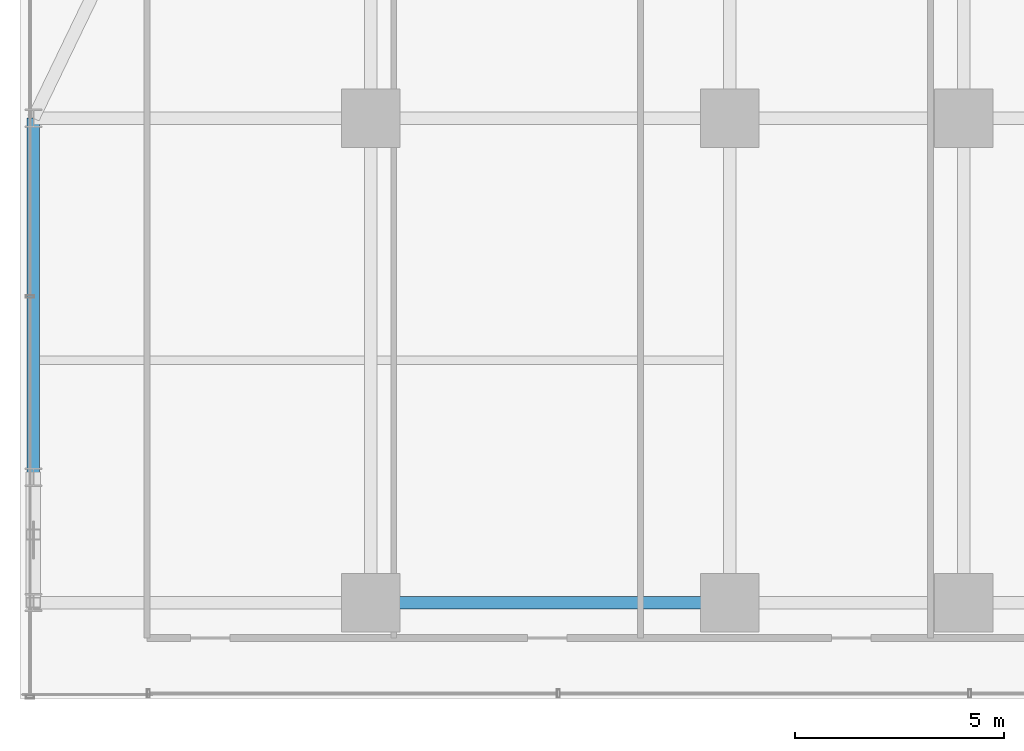
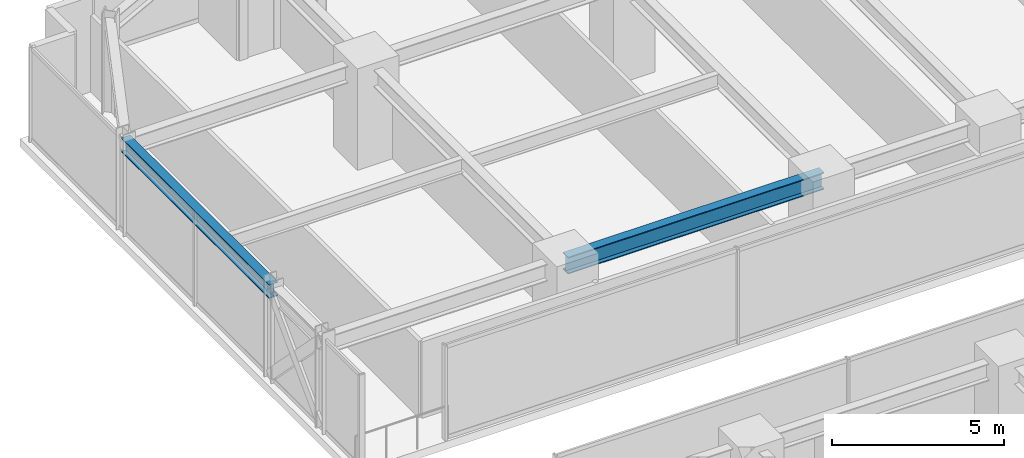
# One storey, part 20 of 43: 2 beams.
"""IFC4 building model written with IfcOpenShell, lengths in metres."""

import ifcopenshell
import ifcopenshell.guid

model = None  # the IFC model being written
_history = None  # IfcOwnerHistory: only IFC2X3 demands one
_inside = {}  # id of a spatial element -> (the spatial element, [elements in it])
_under = {}  # id of a project, library or spatial element -> (it, [spatial elements below it])
_declared = {}  # id of a project -> (the project, [libraries it declares])
_typed = {}  # id of a type object -> (the type object, [elements of that type])
_made_of = {}  # id of a material, layer set ... -> (it, [elements and type objects made of it])


def new_model(schema):
    """Start an empty IFC model of exactly this schema.

    Asked for "IFC4X3", IfcOpenShell would pick the latest addendum, in which some entities
    have other attributes; the version numbers below select the first issue.
    IFC2X3 requires an IfcOwnerHistory on every rooted entity: one is made here for all.
    """
    global model, _history
    if schema == "IFC4X3":
        model = ifcopenshell.file(schema_version=(4, 3, 0, 0))
    else:
        model = ifcopenshell.file(schema=schema)
    _inside.clear()
    _under.clear()
    _declared.clear()
    _typed.clear()
    _made_of.clear()
    _history = None
    if model.schema == "IFC2X3":
        org = make("IfcOrganization", Name="unknown")
        user = make(
            "IfcPersonAndOrganization",
            ThePerson=make("IfcPerson", FamilyName="unknown"),
            TheOrganization=org,
        )
        app = make(
            "IfcApplication",
            ApplicationDeveloper=org,
            Version="unknown",
            ApplicationFullName="unknown",
            ApplicationIdentifier="unknown",
        )
        _history = make(
            "IfcOwnerHistory",
            OwningUser=user,
            OwningApplication=app,
            ChangeAction="ADDED",
            CreationDate=0,
        )
    return model


def make(cls, **values):
    """One entity of the class cls with the attributes given. An attribute that is None is left unset."""
    return model.create_entity(
        cls, **{name: value for name, value in values.items() if value is not None}
    )


def rooted(cls, **values):
    """An entity with a GlobalId (a new one), such as an element, a storey or a relation."""
    return make(cls, GlobalId=ifcopenshell.guid.new(), OwnerHistory=_history, **values)


def si_unit(unit_type, name, prefix=None):
    """IfcSIUnit, for example si_unit("LENGTHUNIT", "METRE", prefix="MILLI")."""
    return make("IfcSIUnit", UnitType=unit_type, Prefix=prefix, Name=name)


def assignment(units):
    """IfcUnitAssignment: the units of a project."""
    return None if units is None else make("IfcUnitAssignment", Units=units)


def point(xyz):
    """IfcCartesianPoint."""
    return None if xyz is None else make("IfcCartesianPoint", Coordinates=xyz)


def direction(xyz):
    """IfcDirection."""
    return None if xyz is None else make("IfcDirection", DirectionRatios=xyz)


def frame(location, z_axis=None, x_axis=None):
    """IfcAxis2Placement3D, a coordinate frame: its origin and axes. An axis left out is left unset."""
    return make(
        "IfcAxis2Placement3D",
        Location=point(location),
        Axis=direction(z_axis),
        RefDirection=direction(x_axis),
    )


def frame_2d(location, x_axis=None):
    """IfcAxis2Placement2D, a coordinate frame in the plane: its origin and x axis."""
    return make(
        "IfcAxis2Placement2D", Location=point(location), RefDirection=direction(x_axis)
    )


def origin():
    """The frame at (0, 0, 0) with its axes left unset."""
    return frame((0.0, 0.0, 0.0))


def origin_2d():
    """The frame at (0, 0) in the plane with its x axis left unset."""
    return frame_2d((0.0, 0.0))


def place(relative_to, where):
    """IfcLocalPlacement: puts the frame where relative to a parent placement (None: the world)."""
    return make(
        "IfcLocalPlacement", PlacementRelTo=relative_to, RelativePlacement=where
    )


def context(
    kind, dimensions, precision=None, world=None, true_north=None, identifier=None
):
    """IfcGeometricRepresentationContext, for example the 3D "Model" context."""
    return make(
        "IfcGeometricRepresentationContext",
        ContextIdentifier=identifier,
        ContextType=kind,
        CoordinateSpaceDimension=dimensions,
        Precision=precision,
        WorldCoordinateSystem=world,
        TrueNorth=true_north,
    )


def subcontext(parent, identifier, kind, view, scale=None):
    """IfcGeometricRepresentationSubContext, for example "Body" below "Model"."""
    return make(
        "IfcGeometricRepresentationSubContext",
        ContextIdentifier=identifier,
        ContextType=kind,
        ParentContext=parent,
        TargetScale=scale,
        TargetView=view,
    )


def project(units=None, contexts=None):
    """IfcProject with its units and contexts."""
    return rooted(
        "IfcProject",
        Name="project",
        RepresentationContexts=contexts,
        UnitsInContext=assignment(units),
    )


def spatial(cls, under=None, at=None, **own):
    """A site, building, storey or space (cls), placed at a placement, below another one or the project."""
    s = rooted(cls, ObjectPlacement=at, **own)
    if under is not None:
        _under.setdefault(under.id(), (under, []))[1].append(s)
    return s


def profile(cls, at=None, kind="AREA", **sizes):
    """A parametric profile (cls). Its sizes go by their IFC names, for example OverallWidth=200.0."""
    return make(cls, ProfileType=kind, Position=at, **sizes)


def i_section(**sizes):
    """IfcIShapeProfileDef."""
    return profile("IfcIShapeProfileDef", **sizes)


def extrude(swept, where, along, depth):
    """IfcExtrudedAreaSolid: the profile swept, set in the frame where, extruded along a direction by depth."""
    return make(
        "IfcExtrudedAreaSolid",
        SweptArea=swept,
        Position=where,
        ExtrudedDirection=direction(along),
        Depth=depth,
    )


def shape(context_of_items, identifier, shape_type, items):
    """IfcShapeRepresentation: the items that make up one representation, for example the "Body"."""
    return make(
        "IfcShapeRepresentation",
        ContextOfItems=context_of_items,
        RepresentationIdentifier=identifier,
        RepresentationType=shape_type,
        Items=items,
    )


def source(mapping_origin, context_of_items, identifier, shape_type, items):
    """IfcRepresentationMap: a shape defined once, which mapped items show again and again."""
    return make(
        "IfcRepresentationMap",
        MappingOrigin=mapping_origin,
        MappedRepresentation=shape(context_of_items, identifier, shape_type, items),
    )


def transform(
    local_origin,
    x_axis=None,
    y_axis=None,
    z_axis=None,
    scale=None,
    scale2=None,
    scale3=None,
    uniform=True,
):
    """IfcCartesianTransformationOperator3D, or its non-uniform kind. x_axis, y_axis, z_axis: its Axis1, 2, 3."""
    if uniform:
        return make(
            "IfcCartesianTransformationOperator3D",
            Axis1=direction(x_axis),
            Axis2=direction(y_axis),
            LocalOrigin=point(local_origin),
            Scale=scale,
            Axis3=direction(z_axis),
        )
    return make(
        "IfcCartesianTransformationOperator3DnonUniform",
        Axis1=direction(x_axis),
        Axis2=direction(y_axis),
        LocalOrigin=point(local_origin),
        Scale=scale,
        Axis3=direction(z_axis),
        Scale2=scale2,
        Scale3=scale3,
    )


def mapped(mapping_source, mapping_target):
    """IfcMappedItem: shows the shape of a source again, moved by a transform."""
    return make(
        "IfcMappedItem", MappingSource=mapping_source, MappingTarget=mapping_target
    )


def material(Name=None, Category=None):
    """IfcMaterial."""
    return make("IfcMaterial", Name=Name, Category=Category)


def material_profile(
    of_material, cross_section, Name=None, Category=None, Priority=None
):
    """IfcMaterialProfile: a cross section and its material."""
    return make(
        "IfcMaterialProfile",
        Name=Name,
        Material=of_material,
        Profile=cross_section,
        Priority=Priority,
        Category=Category,
    )


def profile_set(profiles, Name=None, composite=None):
    """IfcMaterialProfileSet."""
    return make(
        "IfcMaterialProfileSet",
        Name=Name,
        MaterialProfiles=profiles,
        CompositeProfile=composite,
    )


def made_of(thing, what):
    """Note that an element or type object is made of a material, layer set ...; save() writes the relation."""
    if what is not None:
        _made_of.setdefault(what.id(), (what, []))[1].append(thing)
    return thing


def type_object(cls, material=None, **own):
    """A type object (cls), such as IfcWallType, which elements share."""
    return made_of(rooted(cls, **own), material)


def element(
    cls,
    number,
    at=None,
    inside=None,
    cuts=None,
    type_object=None,
    material=None,
    context=None,
    identifier="Body",
    shape_type=None,
    held_by="IfcProductDefinitionShape",
    body=None,
    shapes=None,
    **own,
):
    """One element of the class cls, such as IfcWall. Its Tag is "e" and its number.

    at: its placement. inside: the storey or other place that contains it. cuts: it is an
    opening in that element (IfcRelVoidsElement). A single representation is given by context,
    identifier, shape_type and body (its items); several are given by shapes. held_by: the class
    of the entity that holds the representations. save() writes the other relations.
    """
    e = rooted(cls, Tag="e%d" % number, ObjectPlacement=at, **own)
    if body is not None:
        shapes = [shape(context, identifier, shape_type, body)]
    if shapes is not None:
        e.Representation = make(held_by, Representations=shapes)
    if inside is not None:
        _inside.setdefault(inside.id(), (inside, []))[1].append(e)
    if cuts is not None:
        rooted(
            "IfcRelVoidsElement", RelatingBuildingElement=cuts, RelatedOpeningElement=e
        )
    if type_object is not None:
        _typed.setdefault(type_object.id(), (type_object, []))[1].append(e)
    return made_of(e, material)


def aggregate(whole, parts):
    """IfcRelAggregates: a whole, such as a stair, and the parts it consists of."""
    return rooted("IfcRelAggregates", RelatingObject=whole, RelatedObjects=parts)


def save(model, path):
    """Write the relations noted so far, then the file.

    IfcRelAggregates (storeys below a building ...), IfcRelContainedInSpatialStructure (elements
    in a storey), IfcRelDefinesByType, IfcRelAssociatesMaterial and IfcRelDeclares: one each for
    every whole, place, type object, material and project.
    """
    for whole, parts in _under.values():
        aggregate(whole, parts)
    for where, things in _inside.values():
        rooted(
            "IfcRelContainedInSpatialStructure",
            RelatedElements=things,
            RelatingStructure=where,
        )
    for kind, things in _typed.values():
        rooted("IfcRelDefinesByType", RelatedObjects=things, RelatingType=kind)
    for what, things in _made_of.values():
        rooted("IfcRelAssociatesMaterial", RelatedObjects=things, RelatingMaterial=what)
    for by, libraries in _declared.values():
        rooted("IfcRelDeclares", RelatingContext=by, RelatedDefinitions=libraries)
    model.write(path)


model = new_model("IFC4")

# Units and contexts
model_context = context("Model", 3, precision=1e-05, world=origin(), true_north=direction((0.0, 1.0)))
body_context = subcontext(model_context, "Body", "Model", "MODEL_VIEW")
ifc_project = project(units=[si_unit("LENGTHUNIT", "METRE"), si_unit("AREAUNIT", "SQUARE_METRE"), si_unit("VOLUMEUNIT", "CUBIC_METRE"), si_unit("PLANEANGLEUNIT", "RADIAN"), si_unit("MASSUNIT", "GRAM", prefix="KILO")], contexts=[model_context])

# Site, building, storey
site_placement = place(None, origin())
site = spatial("IfcSite", under=ifc_project, at=site_placement, CompositionType="ELEMENT")
building_placement = place(site_placement, origin())
building = spatial("IfcBuilding", under=site, at=building_placement, Name="Nahalor Promenade Grand Hotel", CompositionType="ELEMENT")
storey_placement = place(building_placement, frame((0.0, 0.0, 57.949951171875)))
storey = spatial("IfcBuildingStorey", under=building, at=storey_placement, Name="L13", CompositionType="ELEMENT", Elevation=57.949951171875)

# Beams
ifc_material = material(Name="Steel S355JR", Category="steel")
ifc_material_profile_1 = material_profile(ifc_material, i_section(OverallWidth=0.3, OverallDepth=0.6, WebThickness=0.0155, FlangeThickness=0.03, at=origin_2d()), Name="HEB 600")
ifc_profile_set_1 = profile_set([ifc_material_profile_1], Name="Steel S355JR")
beam_type_1 = type_object("IfcBeamType", Name="Beam-Girder-HEB600", PredefinedType="BEAM", material=ifc_profile_set_1)
shared_shape_1 = source(origin(), body_context, "Body", "SweptSolid", [
    extrude(i_section(OverallWidth=0.3, OverallDepth=0.6, WebThickness=0.0155, FlangeThickness=0.03, at=origin_2d()), origin(), (0.0, 0.0, 1.0), 8.60009765625),
])
beam_1_placement = place(storey_placement, frame((-17.0, 5.39990234375, 3.070068359375), z_axis=(1.0, 0.0, 0.0), x_axis=(0.0, 1.0, 0.0)))
element("IfcBeam", 1, at=beam_1_placement, inside=storey, type_object=beam_type_1, Name="BM-L13-GX-2-1", PredefinedType="BEAM", context=body_context, shape_type="MappedRepresentation", body=[
    mapped(shared_shape_1, transform((0.0, 0.0, 0.0), scale=1.0)),
])
ifc_material_profile_2 = material_profile(ifc_material, i_section(OverallWidth=0.3, OverallDepth=0.5, WebThickness=0.0145, FlangeThickness=0.028, at=origin_2d()), Name="HEB 500")
ifc_profile_set_2 = profile_set([ifc_material_profile_2], Name="Steel S355JR")
beam_type_2 = type_object("IfcBeamType", Name="Beam-Spandrel-HEB500", PredefinedType="SPANDREL", material=ifc_profile_set_2)
shared_shape_2 = source(origin(), body_context, "Body", "SweptSolid", [
    extrude(i_section(OverallWidth=0.3, OverallDepth=0.5, WebThickness=0.0145, FlangeThickness=0.028, at=origin_2d()), origin(), (0.0, 0.0, 1.0), 8.60009765625),
])
beam_2_placement = place(storey_placement, frame((-25.080078125, 8.39990234375, 3.1201171875), z_axis=(0.0, 1.0, 0.0), x_axis=(-1.0, 0.0, 0.0)))
element("IfcBeam", 2, at=beam_2_placement, inside=storey, type_object=beam_type_2, Name="BM-L13-SP-W-4", PredefinedType="SPANDREL", context=body_context, shape_type="MappedRepresentation", body=[
    mapped(shared_shape_2, transform((0.0, 0.0, 0.0), scale=1.0)),
])

save(model, "model.ifc")
